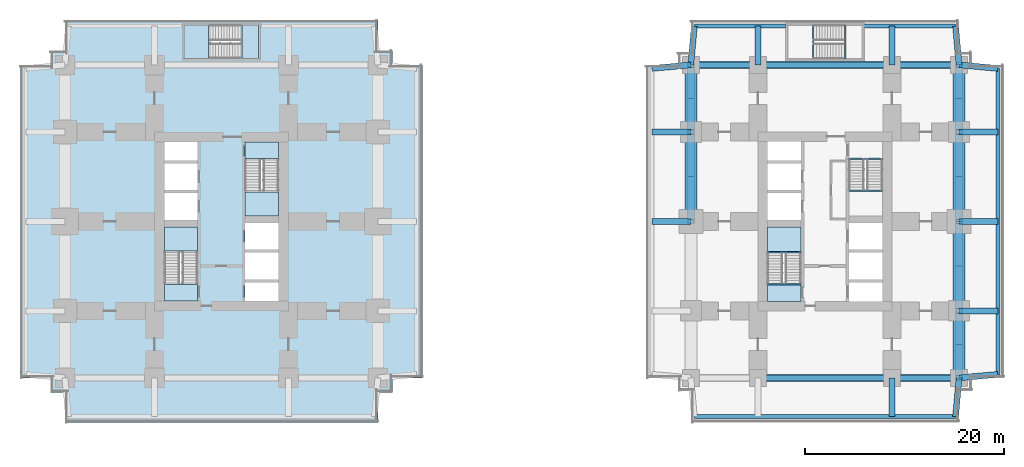
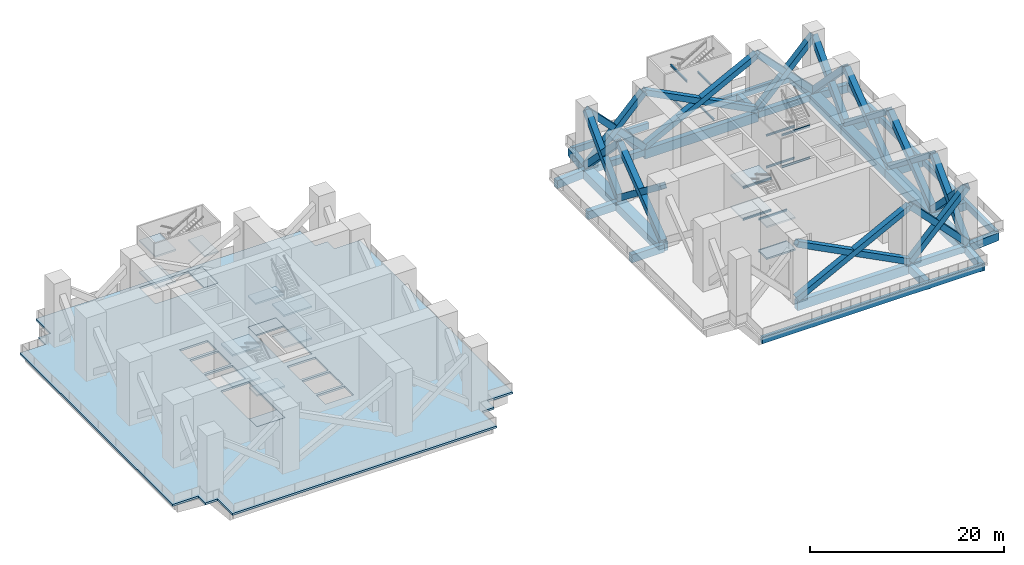
# One storey, part 2 of 12: 41 beams, 22 members, 17 slabs, 4 elements without a shape of their own.
"""IFC4 building model written with IfcOpenShell, lengths in metres."""

from ifc_helpers import new_model, si_unit, direction, frame, origin, origin_2d, place, context, subcontext, project, spatial, polyline, rectangle, hollow_rectangle, i_section, outline, extrude, material, layer, layer_set, material_profile, profile_set, type_object, element, aggregate, save


model = new_model("IFC4")

# Units and contexts
model_context = context("Model", 3, precision=1e-05, world=origin(), true_north=direction((0.0, 1.0)))
body_context = subcontext(model_context, "Body", "Model", "MODEL_VIEW")
ifc_project = project(units=[si_unit("LENGTHUNIT", "METRE"), si_unit("AREAUNIT", "SQUARE_METRE"), si_unit("VOLUMEUNIT", "CUBIC_METRE"), si_unit("PLANEANGLEUNIT", "RADIAN"), si_unit("MASSUNIT", "GRAM", prefix="KILO")], contexts=[model_context])

# Site, building, storey
site_placement = place(None, origin())
site = spatial("IfcSite", under=ifc_project, at=site_placement, CompositionType="ELEMENT")
building_placement = place(site_placement, origin())
building = spatial("IfcBuilding", under=site, at=building_placement, Name="Namib Vertical Campus", CompositionType="ELEMENT")
storey_placement = place(building_placement, frame((0.0, 0.0, 77.0)))
storey = spatial("IfcBuildingStorey", under=building, at=storey_placement, Name="L18", CompositionType="ELEMENT", Elevation=77.0)

# Members
ifc_material_1 = material(Name="Steel S355JR", Category="steel")
ifc_material_profile_1 = material_profile(ifc_material_1, hollow_rectangle(XDim=0.699951171875, YDim=0.699951171875, WallThickness=0.0400390625, at=origin_2d()))
ifc_profile_set_1 = profile_set([ifc_material_profile_1], Name="Steel S355JR")
member_type = type_object("IfcMemberType", Name="Belt truss diagonal WB 700x700x40", PredefinedType="BRACE", material=ifc_profile_set_1)
for number, where, z_axis, x_axis, name in (
    (1, (74.25, 4.5, 0.0), (0.889097706218, 0.0, 0.457717455203), (0.0, 1.0, 0.0), "Belt truss diagonal B L18 S3"),
    (2, (87.75, 4.5, 0.0), (-0.889097706218, 0.0, 0.457717455203), (0.0, -1.0, 0.0), "Belt truss diagonal B L18 S4"),
):
    element("IfcMember", number, at=place(storey_placement, frame(where, z_axis=z_axis, x_axis=x_axis)), inside=storey, type_object=member_type, Name=name, PredefinedType="BRACE", context=body_context, shape_type="SweptSolid", body=[
        extrude(hollow_rectangle(XDim=0.699951171875, YDim=0.699951171875, WallThickness=0.0400390625, at=origin_2d()), origin(), (0.0, 0.0, 1.0), 15.183837890625),
    ])
for number, where, z_axis, x_axis, name in (
    (3, (87.75, 4.5, 0.0), (0.696712336785, 0.0, 0.717350625407), (0.0, 1.0, 0.0), "Belt truss diagonal B L18 S5"),
    (4, (94.5, 4.5, 0.0), (-0.696712336785, 0.0, 0.717350625407), (0.0, -1.0, 0.0), "Belt truss diagonal B L18 S6"),
    (5, (67.5, 36.0, 0.0), (0.696712336785, 0.0, 0.717350625407), (0.0, 1.0, 0.0), "Belt truss diagonal B L18 N7"),
    (6, (74.25, 36.0, 0.0), (-0.696712336785, 0.0, 0.717350625407), (0.0, -1.0, 0.0), "Belt truss diagonal B L18 N8"),
):
    element("IfcMember", number, at=place(storey_placement, frame(where, z_axis=z_axis, x_axis=x_axis)), inside=storey, type_object=member_type, Name=name, PredefinedType="BRACE", context=body_context, shape_type="SweptSolid", body=[
        extrude(hollow_rectangle(XDim=0.699951171875, YDim=0.699951171875, WallThickness=0.0400390625, at=origin_2d()), origin(), (0.0, 0.0, 1.0), 9.6884765625),
    ])
for number, where, z_axis, x_axis, name in (
    (7, (74.25, 36.0, 0.0), (0.889097706218, 0.0, 0.457717455203), (0.0, 1.0, 0.0), "Belt truss diagonal B L18 N9"),
    (8, (87.75, 36.0, 0.0), (-0.889097706218, 0.0, 0.457717455203), (0.0, -1.0, 0.0), "Belt truss diagonal B L18 N10"),
):
    element("IfcMember", number, at=place(storey_placement, frame(where, z_axis=z_axis, x_axis=x_axis)), inside=storey, type_object=member_type, Name=name, PredefinedType="BRACE", context=body_context, shape_type="SweptSolid", body=[
        extrude(hollow_rectangle(XDim=0.699951171875, YDim=0.699951171875, WallThickness=0.0400390625, at=origin_2d()), origin(), (0.0, 0.0, 1.0), 15.183837890625),
    ])
for number, where, z_axis, x_axis, name in (
    (9, (87.75, 36.0, 0.0), (0.696712336785, 0.0, 0.717350625407), (0.0, 1.0, 0.0), "Belt truss diagonal B L18 N11"),
    (10, (94.5, 36.0, 0.0), (-0.696712336785, 0.0, 0.717350625407), (0.0, -1.0, 0.0), "Belt truss diagonal B L18 N12"),
):
    element("IfcMember", number, at=place(storey_placement, frame(where, z_axis=z_axis, x_axis=x_axis)), inside=storey, type_object=member_type, Name=name, PredefinedType="BRACE", context=body_context, shape_type="SweptSolid", body=[
        extrude(hollow_rectangle(XDim=0.699951171875, YDim=0.699951171875, WallThickness=0.0400390625, at=origin_2d()), origin(), (0.0, 0.0, 1.0), 9.6884765625),
    ])
for number, where, z_axis, x_axis, name in (
    (11, (67.5, 20.25, 0.0), (0.0, 0.79148044328, 0.611194492699), (-1.0, 0.0, 0.0), "Belt truss diagonal B L18 W17"),
    (12, (67.5, 29.25, 0.0), (0.0, -0.79148044328, 0.611194492699), (1.0, 0.0, 0.0), "Belt truss diagonal B L18 W18"),
):
    element("IfcMember", number, at=place(storey_placement, frame(where, z_axis=z_axis, x_axis=x_axis)), inside=storey, type_object=member_type, Name=name, PredefinedType="BRACE", context=body_context, shape_type="SweptSolid", body=[
        extrude(hollow_rectangle(XDim=0.699951171875, YDim=0.699951171875, WallThickness=0.0400390625, at=origin_2d()), origin(), (0.0, 0.0, 1.0), 11.37109375),
    ])
for number, where, z_axis, x_axis, name in (
    (13, (67.5, 29.25, 0.0), (0.0, 0.696712336785, 0.717350625407), (-1.0, 0.0, 0.0), "Belt truss diagonal B L18 W19"),
    (14, (67.5, 36.0, 0.0), (0.0, -0.696712336785, 0.717350625407), (1.0, 0.0, 0.0), "Belt truss diagonal B L18 W20"),
    (15, (94.5, 4.5, 0.0), (0.0, 0.696712336785, 0.717350625407), (-1.0, 0.0, 0.0), "Belt truss diagonal B L18 E21"),
    (16, (94.5, 11.25, 0.0), (0.0, -0.696712336785, 0.717350625407), (1.0, 0.0, 0.0), "Belt truss diagonal B L18 E22"),
):
    element("IfcMember", number, at=place(storey_placement, frame(where, z_axis=z_axis, x_axis=x_axis)), inside=storey, type_object=member_type, Name=name, PredefinedType="BRACE", context=body_context, shape_type="SweptSolid", body=[
        extrude(hollow_rectangle(XDim=0.699951171875, YDim=0.699951171875, WallThickness=0.0400390625, at=origin_2d()), origin(), (0.0, 0.0, 1.0), 9.6884765625),
    ])
for number, where, z_axis, x_axis, name in (
    (17, (94.5, 11.25, 0.0), (0.0, 0.79148044328, 0.611194492699), (-1.0, 0.0, 0.0), "Belt truss diagonal B L18 E23"),
    (18, (94.5, 20.25, 0.0), (0.0, -0.79148044328, 0.611194492699), (1.0, 0.0, 0.0), "Belt truss diagonal B L18 E24"),
    (19, (94.5, 20.25, 0.0), (0.0, 0.79148044328, 0.611194492699), (-1.0, 0.0, 0.0), "Belt truss diagonal B L18 E25"),
    (20, (94.5, 29.25, 0.0), (0.0, -0.79148044328, 0.611194492699), (1.0, 0.0, 0.0), "Belt truss diagonal B L18 E26"),
):
    element("IfcMember", number, at=place(storey_placement, frame(where, z_axis=z_axis, x_axis=x_axis)), inside=storey, type_object=member_type, Name=name, PredefinedType="BRACE", context=body_context, shape_type="SweptSolid", body=[
        extrude(hollow_rectangle(XDim=0.699951171875, YDim=0.699951171875, WallThickness=0.0400390625, at=origin_2d()), origin(), (0.0, 0.0, 1.0), 11.37109375),
    ])
for number, where, z_axis, x_axis, name in (
    (21, (94.5, 29.25, 0.0), (0.0, 0.696712336785, 0.717350625407), (-1.0, 0.0, 0.0), "Belt truss diagonal B L18 E27"),
    (22, (94.5, 36.0, 0.0), (0.0, -0.696712336785, 0.717350625407), (1.0, 0.0, 0.0), "Belt truss diagonal B L18 E28"),
):
    element("IfcMember", number, at=place(storey_placement, frame(where, z_axis=z_axis, x_axis=x_axis)), inside=storey, type_object=member_type, Name=name, PredefinedType="BRACE", context=body_context, shape_type="SweptSolid", body=[
        extrude(hollow_rectangle(XDim=0.699951171875, YDim=0.699951171875, WallThickness=0.0400390625, at=origin_2d()), origin(), (0.0, 0.0, 1.0), 9.6884765625),
    ])

# Beams
ifc_material_2 = material(Name="Concrete C40/50", Category="concrete")
ifc_material_profile_2 = material_profile(ifc_material_2, rectangle(XDim=1.199951171875, YDim=1.10009765625, at=origin_2d()))
ifc_profile_set_2 = profile_set([ifc_material_profile_2], Name="Concrete C40/50")
beam_type_1 = type_object("IfcBeamType", Name="Face ring beam RC 1200x1100", PredefinedType="BEAM", material=ifc_profile_set_2)
beam_1_placement = place(storey_placement, frame((67.5, 20.25, -0.800048828125), z_axis=(0.0, 1.0, 0.0), x_axis=(-1.0, 0.0, 0.0)))
element("IfcBeam", 23, at=beam_1_placement, inside=storey, type_object=beam_type_1, Name="Beam B11 L18", PredefinedType="BEAM", context=body_context, shape_type="SweptSolid", body=[
    extrude(rectangle(XDim=1.199951171875, YDim=1.10009765625, at=origin_2d()), origin(), (0.0, 0.0, 1.0), 9.0),
])
for number, where, z_axis, x_axis, name in (
    (24, (67.5, 29.25, -0.800048828125), (0.0, 1.0, 0.0), (-1.0, 0.0, 0.0), "Beam B11 L18"),
    (25, (94.5, 4.5, -0.800048828125), (0.0, 1.0, 0.0), (-1.0, 0.0, 0.0), "Beam B11 L18"),
):
    element("IfcBeam", number, at=place(storey_placement, frame(where, z_axis=z_axis, x_axis=x_axis)), inside=storey, type_object=beam_type_1, Name=name, PredefinedType="BEAM", context=body_context, shape_type="SweptSolid", body=[
        extrude(rectangle(XDim=1.199951171875, YDim=1.10009765625, at=origin_2d()), origin(), (0.0, 0.0, 1.0), 6.75),
    ])
for number, where, z_axis, x_axis, name in (
    (26, (94.5, 11.25, -0.800048828125), (0.0, 1.0, 0.0), (-1.0, 0.0, 0.0), "Beam B11 L18"),
    (27, (94.5, 20.25, -0.800048828125), (0.0, 1.0, 0.0), (-1.0, 0.0, 0.0), "Beam B11 L18"),
):
    element("IfcBeam", number, at=place(storey_placement, frame(where, z_axis=z_axis, x_axis=x_axis)), inside=storey, type_object=beam_type_1, Name=name, PredefinedType="BEAM", context=body_context, shape_type="SweptSolid", body=[
        extrude(rectangle(XDim=1.199951171875, YDim=1.10009765625, at=origin_2d()), origin(), (0.0, 0.0, 1.0), 9.0),
    ])
beam_2_placement = place(storey_placement, frame((94.5, 29.25, -0.800048828125), z_axis=(0.0, 1.0, 0.0), x_axis=(-1.0, 0.0, 0.0)))
element("IfcBeam", 28, at=beam_2_placement, inside=storey, type_object=beam_type_1, Name="Beam B11 L18", PredefinedType="BEAM", context=body_context, shape_type="SweptSolid", body=[
    extrude(rectangle(XDim=1.199951171875, YDim=1.10009765625, at=origin_2d()), origin(), (0.0, 0.0, 1.0), 6.75),
])
ifc_material_3 = material(Name="Steel S355JR", Category="steel")
ifc_material_profile_3 = material_profile(ifc_material_3, i_section(OverallWidth=0.14599609375, OverallDepth=0.25146484375, WebThickness=0.006103515625, FlangeThickness=0.008544921875, FilletRadius=0.007568359375, at=origin_2d()))
ifc_profile_set_3 = profile_set([ifc_material_profile_3], Name="Steel S355JR")
beam_type_2 = type_object("IfcBeamType", Name="Landing trimmer UB 254x146x31", PredefinedType="BEAM", material=ifc_profile_set_3)
for number, where, z_axis, x_axis, name in (
    (29, (75.199951171875, 13.927001953125, -0.125732421875), (1.0, 0.0, 0.0), (0.0, 1.0, 0.0), "Landing trimmer LT1 B-S1 L18 1"),
    (30, (75.199951171875, 17.153076171875, 1.874267578125), (1.0, 0.0, 0.0), (0.0, 1.0, 0.0), "Landing trimmer LT1 B-S1 L18 2"),
    (31, (75.199951171875, 13.927001953125, 3.874267578125), (1.0, 0.0, 0.0), (0.0, 1.0, 0.0), "Landing trimmer LT1 B-S1 L18 3"),
    (32, (75.199951171875, 17.153076171875, 5.874267578125), (1.0, 0.0, 0.0), (0.0, 1.0, 0.0), "Landing trimmer LT1 B-S1 L18 4"),
    (33, (83.39990234375, 26.572998046875, -0.125732421875), (1.0, 0.0, 0.0), (0.0, 1.0, 0.0), "Landing trimmer LT1 B-S2 L18 1"),
    (34, (83.39990234375, 23.346923828125, 1.874267578125), (1.0, 0.0, 0.0), (0.0, 1.0, 0.0), "Landing trimmer LT1 B-S2 L18 2"),
    (35, (83.39990234375, 26.572998046875, 3.874267578125), (1.0, 0.0, 0.0), (0.0, 1.0, 0.0), "Landing trimmer LT1 B-S2 L18 3"),
    (36, (83.39990234375, 23.346923828125, 5.874267578125), (1.0, 0.0, 0.0), (0.0, 1.0, 0.0), "Landing trimmer LT1 B-S2 L18 4"),
):
    element("IfcBeam", number, at=place(storey_placement, frame(where, z_axis=z_axis, x_axis=x_axis)), inside=storey, type_object=beam_type_2, Name=name, PredefinedType="BEAM", context=body_context, shape_type="SweptSolid", body=[
        extrude(i_section(OverallWidth=0.14599609375, OverallDepth=0.25146484375, WebThickness=0.006103515625, FlangeThickness=0.008544921875, FilletRadius=0.007568359375, at=origin_2d()), origin(), (0.0, 0.0, 1.0), 3.400146484375),
    ])
for number, where, z_axis, x_axis, name in (
    (37, (83.02294921875, 36.60009765625, -0.125732421875), (0.0, 1.0, 0.0), (-1.0, 0.0, 0.0), "Landing trimmer LT1 B-S3 L18 1"),
    (38, (79.796875, 36.60009765625, 1.874267578125), (0.0, 1.0, 0.0), (-1.0, 0.0, 0.0), "Landing trimmer LT1 B-S3 L18 2"),
    (39, (83.02294921875, 36.60009765625, 3.874267578125), (0.0, 1.0, 0.0), (-1.0, 0.0, 0.0), "Landing trimmer LT1 B-S3 L18 3"),
    (40, (79.796875, 36.60009765625, 5.874267578125), (0.0, 1.0, 0.0), (-1.0, 0.0, 0.0), "Landing trimmer LT1 B-S3 L18 4"),
):
    element("IfcBeam", number, at=place(storey_placement, frame(where, z_axis=z_axis, x_axis=x_axis)), inside=storey, type_object=beam_type_2, Name=name, PredefinedType="BEAM", context=body_context, shape_type="SweptSolid", body=[
        extrude(i_section(OverallWidth=0.14599609375, OverallDepth=0.25146484375, WebThickness=0.006103515625, FlangeThickness=0.008544921875, FilletRadius=0.007568359375, at=origin_2d()), origin(), (0.0, 0.0, 1.0), 3.39990234375),
    ])
ifc_material_4 = material(Name="Concrete C40/50", Category="concrete")
ifc_material_profile_4 = material_profile(ifc_material_4, rectangle(XDim=0.60009765625, YDim=1.199951171875, at=origin_2d()))
ifc_profile_set_4 = profile_set([ifc_material_profile_4], Name="Concrete C40/50")
beam_type_3 = type_object("IfcBeamType", Name="Long-span ring beam RC 600x1200", PredefinedType="BEAM", material=ifc_profile_set_4)
for number, where, z_axis, x_axis, name in (
    (41, (74.25, 4.5, -0.85009765625), (1.0, 0.0, 0.0), (0.0, 1.0, 0.0), "Beam B9 L18"),
    (42, (74.25, 36.0, -0.85009765625), (1.0, 0.0, 0.0), (0.0, 1.0, 0.0), "Beam B9 L18"),
):
    element("IfcBeam", number, at=place(storey_placement, frame(where, z_axis=z_axis, x_axis=x_axis)), inside=storey, type_object=beam_type_3, Name=name, PredefinedType="BEAM", context=body_context, shape_type="SweptSolid", body=[
        extrude(rectangle(XDim=0.60009765625, YDim=1.199951171875, at=origin_2d()), origin(), (0.0, 0.0, 1.0), 13.5),
    ])
ifc_material_5 = material(Name="Concrete C40/50", Category="concrete")
ifc_material_profile_5 = material_profile(ifc_material_5, rectangle(XDim=0.60009765625, YDim=1.0, at=origin_2d()))
ifc_profile_set_5 = profile_set([ifc_material_profile_5], Name="Concrete C40/50")
beam_type_4 = type_object("IfcBeamType", Name="Portal cantilever girder RC 600x1000", PredefinedType="BEAM", material=ifc_profile_set_5)
beam_3_placement = place(storey_placement, frame((87.75, 4.5, -0.75), z_axis=(0.0, -1.0, 0.0), x_axis=(1.0, 0.0, 0.0)))
element("IfcBeam", 43, at=beam_3_placement, inside=storey, type_object=beam_type_4, Name="Beam B14 L18", PredefinedType="BEAM", context=body_context, shape_type="SweptSolid", body=[
    extrude(rectangle(XDim=0.60009765625, YDim=1.0, at=origin_2d()), origin(), (0.0, 0.0, 1.0), 3.89990234375),
])
for number, where, z_axis, x_axis, name in (
    (44, (94.5, 4.5, -0.75), (-0.089411326146, -0.995994786511, 0.0), (0.995994786511, -0.089411326146, 0.0), "Beam B14 L18"),
    (45, (67.5, 36.0, -0.75), (0.089411326146, 0.995994786511, 0.0), (-0.995994786511, 0.089411326146, 0.0), "Beam B14 L18"),
):
    element("IfcBeam", number, at=place(storey_placement, frame(where, z_axis=z_axis, x_axis=x_axis)), inside=storey, type_object=beam_type_4, Name=name, PredefinedType="BEAM", context=body_context, shape_type="SweptSolid", body=[
        extrude(rectangle(XDim=0.60009765625, YDim=1.0, at=origin_2d()), origin(), (0.0, 0.0, 1.0), 3.91552734375),
    ])
for number, where, z_axis, x_axis, name in (
    (46, (74.25, 36.0, -0.75), (0.0, 1.0, 0.0), (-1.0, 0.0, 0.0), "Beam B14 L18"),
    (47, (87.75, 36.0, -0.75), (0.0, 1.0, 0.0), (-1.0, 0.0, 0.0), "Beam B14 L18"),
):
    element("IfcBeam", number, at=place(storey_placement, frame(where, z_axis=z_axis, x_axis=x_axis)), inside=storey, type_object=beam_type_4, Name=name, PredefinedType="BEAM", context=body_context, shape_type="SweptSolid", body=[
        extrude(rectangle(XDim=0.60009765625, YDim=1.0, at=origin_2d()), origin(), (0.0, 0.0, 1.0), 3.89990234375),
    ])
beam_4_placement = place(storey_placement, frame((94.5, 36.0, -0.75), z_axis=(-0.089411326146, 0.995994786511, 0.0), x_axis=(-0.995994786511, -0.089411326146, 0.0)))
element("IfcBeam", 48, at=beam_4_placement, inside=storey, type_object=beam_type_4, Name="Beam B14 L18", PredefinedType="BEAM", context=body_context, shape_type="SweptSolid", body=[
    extrude(rectangle(XDim=0.60009765625, YDim=1.0, at=origin_2d()), origin(), (0.0, 0.0, 1.0), 3.91552734375),
])
for number, where, z_axis, x_axis, name in (
    (49, (67.5, 20.25, -0.75), (-1.0, 0.0, 0.0), (0.0, -1.0, 0.0), "Beam B14 L18"),
    (50, (67.5, 29.25, -0.75), (-1.0, 0.0, 0.0), (0.0, -1.0, 0.0), "Beam B14 L18"),
):
    element("IfcBeam", number, at=place(storey_placement, frame(where, z_axis=z_axis, x_axis=x_axis)), inside=storey, type_object=beam_type_4, Name=name, PredefinedType="BEAM", context=body_context, shape_type="SweptSolid", body=[
        extrude(rectangle(XDim=0.60009765625, YDim=1.0, at=origin_2d()), origin(), (0.0, 0.0, 1.0), 3.89990234375),
    ])
for number, where, z_axis, x_axis, name in (
    (51, (67.5, 36.0, -0.75), (-0.995994786511, -0.089411326146, 0.0), (0.089411326146, -0.995994786511, 0.0), "Beam B14 L18"),
    (52, (94.5, 4.5, -0.75), (0.995994786511, 0.089411326146, 0.0), (-0.089411326146, 0.995994786511, 0.0), "Beam B14 L18"),
):
    element("IfcBeam", number, at=place(storey_placement, frame(where, z_axis=z_axis, x_axis=x_axis)), inside=storey, type_object=beam_type_4, Name=name, PredefinedType="BEAM", context=body_context, shape_type="SweptSolid", body=[
        extrude(rectangle(XDim=0.60009765625, YDim=1.0, at=origin_2d()), origin(), (0.0, 0.0, 1.0), 3.91552734375),
    ])
for number, where, z_axis, x_axis, name in (
    (53, (94.5, 11.25, -0.75), (1.0, 0.0, 0.0), (0.0, 1.0, 0.0), "Beam B14 L18"),
    (54, (94.5, 20.25, -0.75), (1.0, 0.0, 0.0), (0.0, 1.0, 0.0), "Beam B14 L18"),
    (55, (94.5, 29.25, -0.75), (1.0, 0.0, 0.0), (0.0, 1.0, 0.0), "Beam B14 L18"),
):
    element("IfcBeam", number, at=place(storey_placement, frame(where, z_axis=z_axis, x_axis=x_axis)), inside=storey, type_object=beam_type_4, Name=name, PredefinedType="BEAM", context=body_context, shape_type="SweptSolid", body=[
        extrude(rectangle(XDim=0.60009765625, YDim=1.0, at=origin_2d()), origin(), (0.0, 0.0, 1.0), 3.89990234375),
    ])
beam_5_placement = place(storey_placement, frame((94.5, 36.0, -0.75), z_axis=(0.995994786511, -0.089411326146, 0.0), x_axis=(0.089411326146, 0.995994786511, 0.0)))
element("IfcBeam", 56, at=beam_5_placement, inside=storey, type_object=beam_type_4, Name="Beam B14 L18", PredefinedType="BEAM", context=body_context, shape_type="SweptSolid", body=[
    extrude(rectangle(XDim=0.60009765625, YDim=1.0, at=origin_2d()), origin(), (0.0, 0.0, 1.0), 3.91552734375),
])
ifc_material_6 = material(Name="Concrete C40/50", Category="concrete")
ifc_material_profile_6 = material_profile(ifc_material_6, rectangle(XDim=0.39990234375, YDim=0.800048828125, at=origin_2d()))
ifc_profile_set_6 = profile_set([ifc_material_profile_6], Name="Concrete C40/50")
beam_type_5 = type_object("IfcBeamType", Name="Portal floor edge beam RC 400x800", PredefinedType="SPANDREL", material=ifc_profile_set_6)
beam_6_placement = place(storey_placement, frame((67.85009765625, 0.60009765625, -0.64990234375), z_axis=(1.0, 0.0, 0.0), x_axis=(0.0, 1.0, 0.0)))
element("IfcBeam", 57, at=beam_6_placement, inside=storey, type_object=beam_type_5, Name="Beam B15 L18", PredefinedType="SPANDREL", context=body_context, shape_type="SweptSolid", body=[
    extrude(rectangle(XDim=0.39990234375, YDim=0.800048828125, at=origin_2d()), origin(), (0.0, 0.0, 1.0), 26.2998046875),
])
for number, where, z_axis, x_axis, name in (
    (58, (67.85009765625, 39.89990234375, -0.64990234375), (1.0, 0.0, 0.0), (0.0, 1.0, 0.0), "Beam B15 L18"),
    (59, (84.949951171875, 39.89990234375, -0.64990234375), (1.0, 0.0, 0.0), (0.0, 1.0, 0.0), "Beam B15 L18"),
):
    element("IfcBeam", number, at=place(storey_placement, frame(where, z_axis=z_axis, x_axis=x_axis)), inside=storey, type_object=beam_type_5, Name=name, PredefinedType="SPANDREL", context=body_context, shape_type="SweptSolid", body=[
        extrude(rectangle(XDim=0.39990234375, YDim=0.800048828125, at=origin_2d()), origin(), (0.0, 0.0, 1.0), 9.199951171875),
    ])
beam_7_placement = place(storey_placement, frame((98.39990234375, 4.85009765625, -0.64990234375), z_axis=(0.0, 1.0, 0.0), x_axis=(-1.0, 0.0, 0.0)))
element("IfcBeam", 60, at=beam_7_placement, inside=storey, type_object=beam_type_5, Name="Beam B15 L18", PredefinedType="SPANDREL", context=body_context, shape_type="SweptSolid", body=[
    extrude(rectangle(XDim=0.39990234375, YDim=0.800048828125, at=origin_2d()), origin(), (0.0, 0.0, 1.0), 30.7998046875),
])
ifc_material_7 = material(Name="Concrete C40/50", Category="concrete")
ifc_material_profile_7 = material_profile(ifc_material_7, rectangle(XDim=0.60009765625, YDim=0.800048828125, at=origin_2d()))
ifc_profile_set_7 = profile_set([ifc_material_profile_7], Name="Concrete C40/50")
beam_type_6 = type_object("IfcBeamType", Name="Ring beam RC 600x800", PredefinedType="BEAM", material=ifc_profile_set_7)
for number, where, z_axis, x_axis, name in (
    (61, (87.75, 4.5, -0.64990234375), (1.0, 0.0, 0.0), (0.0, 1.0, 0.0), "Beam B1 L18"),
    (62, (67.5, 36.0, -0.64990234375), (1.0, 0.0, 0.0), (0.0, 1.0, 0.0), "Beam B1 L18"),
    (63, (87.75, 36.0, -0.64990234375), (1.0, 0.0, 0.0), (0.0, 1.0, 0.0), "Beam B1 L18"),
):
    element("IfcBeam", number, at=place(storey_placement, frame(where, z_axis=z_axis, x_axis=x_axis)), inside=storey, type_object=beam_type_6, Name=name, PredefinedType="BEAM", context=body_context, shape_type="SweptSolid", body=[
        extrude(rectangle(XDim=0.60009765625, YDim=0.800048828125, at=origin_2d()), origin(), (0.0, 0.0, 1.0), 6.75),
    ])

# Slab
ifc_material_8 = material(Name="Concrete C40/50", Category="concrete")
ifc_layer_1 = layer(ifc_material_8, 0.25)
ifc_layer_set_1 = layer_set([ifc_layer_1], Name="Concrete C40/50")
slab_type_1 = type_object("IfcSlabType", Name="Floor slab 250", PredefinedType="FLOOR", material=ifc_layer_set_1)
slab_1_placement = place(storey_placement, frame((0.0, 0.0, -0.25)))
element("IfcSlab", 64, at=slab_1_placement, inside=storey, type_object=slab_type_1, Name="Floor slab A L18", PredefinedType="FLOOR", context=body_context, shape_type="SweptSolid", body=[
    extrude(outline(polyline([(4.5, 0.0), (36.0, 0.0), (36.0, 3.050048828125), (37.449951171875, 3.050048828125), (37.449951171875, 4.5), (40.5, 4.5), (40.5, 36.0), (37.449951171875, 36.0), (37.449951171875, 37.449951171875), (36.0, 37.449951171875), (36.0, 40.5), (4.5, 40.5), (4.5, 37.449951171875), (3.050048828125, 37.449951171875), (3.050048828125, 36.0), (0.0, 36.0), (0.0, 4.5), (3.050048828125, 4.5), (3.050048828125, 3.050048828125), (4.5, 3.050048828125), (4.5, 0.0)]), holes=[polyline([(14.5, 12.25), (17.85009765625, 12.25), (17.85009765625, 19.699951171875), (14.5, 19.699951171875), (14.5, 12.25)]), polyline([(22.64990234375, 20.800048828125), (26.0, 20.800048828125), (26.0, 28.25), (22.64990234375, 28.25), (22.64990234375, 20.800048828125)]), polyline([(22.64990234375, 12.25), (26.0, 12.25), (26.0, 14.10009765625), (22.64990234375, 14.10009765625), (22.64990234375, 12.25)]), polyline([(14.5, 20.39990234375), (17.85009765625, 20.39990234375), (17.85009765625, 23.10009765625), (14.5, 23.10009765625), (14.5, 20.39990234375)]), polyline([(14.5, 23.39990234375), (17.85009765625, 23.39990234375), (17.85009765625, 26.10009765625), (14.5, 26.10009765625), (14.5, 23.39990234375)]), polyline([(14.5, 26.39990234375), (17.85009765625, 26.39990234375), (17.85009765625, 28.25), (14.5, 28.25), (14.5, 26.39990234375)]), polyline([(22.64990234375, 14.39990234375), (26.0, 14.39990234375), (26.0, 17.10009765625), (22.64990234375, 17.10009765625), (22.64990234375, 14.39990234375)]), polyline([(22.64990234375, 17.39990234375), (26.0, 17.39990234375), (26.0, 20.10009765625), (22.64990234375, 20.10009765625), (22.64990234375, 17.39990234375)]), polyline([(16.5, 36.64990234375), (24.0, 36.64990234375), (24.0, 40.0), (16.5, 40.0), (16.5, 36.64990234375)])]), origin(), (0.0, 0.0, 1.0), 0.25),
])

# Stair, slabs
ifc_material_9 = material(Name="Concrete C40/50 precast", Category="concrete")
stair_type_1 = type_object("IfcStairType", Name="Exit stair 8000 rise 48 risers 3350 wide", PredefinedType="HALF_TURN_STAIR", material=ifc_material_9)
stair_1_placement = place(storey_placement, origin())
stair_1 = element("IfcStair", 65, at=stair_1_placement, inside=storey, type_object=stair_type_1, Name="Exit stair A-S1 L18", PredefinedType="HALF_TURN_STAIR")
ifc_material_10 = material(Name="Concrete C40/50", Category="concrete")
ifc_layer_2 = layer(ifc_material_10, 0.199951171875)
ifc_layer_set_2 = layer_set([ifc_layer_2], Name="Concrete C40/50")
slab_type_2 = type_object("IfcSlabType", Name="Stair landing 200", PredefinedType="LANDING", material=ifc_layer_set_2)
slab_2_placement = place(storey_placement, frame((0.0, 0.0, -0.199951171875)))
slab_2 = element("IfcSlab", 66, at=slab_2_placement, type_object=slab_type_2, Name="A-S1 landing 1", PredefinedType="LANDING", context=body_context, shape_type="SweptSolid", body=[
    extrude(outline(polyline([(14.5, 12.25), (17.85009765625, 12.25), (17.85009765625, 13.90380859375), (14.5, 13.90380859375), (14.5, 12.25)])), origin(), (0.0, 0.0, 1.0), 0.199951171875),
])
slab_3_placement = place(storey_placement, frame((0.0, 0.0, 1.800048828125)))
slab_3 = element("IfcSlab", 67, at=slab_3_placement, type_object=slab_type_2, Name="A-S1 landing 2", PredefinedType="LANDING", context=body_context, shape_type="SweptSolid", body=[
    extrude(outline(polyline([(14.5, 17.276123046875), (17.85009765625, 17.276123046875), (17.85009765625, 19.699951171875), (14.5, 19.699951171875), (14.5, 17.276123046875)])), origin(), (0.0, 0.0, 1.0), 0.199951171875),
])
slab_4_placement = place(storey_placement, frame((0.0, 0.0, 3.800048828125)))
slab_4 = element("IfcSlab", 68, at=slab_4_placement, type_object=slab_type_2, Name="A-S1 landing 3", PredefinedType="LANDING", context=body_context, shape_type="SweptSolid", body=[
    extrude(outline(polyline([(14.5, 12.25), (17.85009765625, 12.25), (17.85009765625, 13.90380859375), (14.5, 13.90380859375), (14.5, 12.25)])), origin(), (0.0, 0.0, 1.0), 0.199951171875),
])
slab_5_placement = place(storey_placement, frame((0.0, 0.0, 5.800048828125)))
slab_5 = element("IfcSlab", 69, at=slab_5_placement, type_object=slab_type_2, Name="A-S1 landing 4", PredefinedType="LANDING", context=body_context, shape_type="SweptSolid", body=[
    extrude(outline(polyline([(14.5, 17.276123046875), (17.85009765625, 17.276123046875), (17.85009765625, 19.699951171875), (14.5, 19.699951171875), (14.5, 17.276123046875)])), origin(), (0.0, 0.0, 1.0), 0.199951171875),
])
aggregate(stair_1, [slab_2, slab_3, slab_4, slab_5])

stair_2_placement = place(storey_placement, origin())
stair_2 = element("IfcStair", 70, at=stair_2_placement, inside=storey, type_object=stair_type_1, Name="Exit stair A-S2 L18", PredefinedType="HALF_TURN_STAIR")
slab_6_placement = place(storey_placement, frame((0.0, 0.0, -0.199951171875)))
slab_6 = element("IfcSlab", 71, at=slab_6_placement, type_object=slab_type_2, Name="A-S2 landing 1", PredefinedType="LANDING", context=body_context, shape_type="SweptSolid", body=[
    extrude(outline(polyline([(22.64990234375, 26.59619140625), (26.0, 26.59619140625), (26.0, 28.25), (22.64990234375, 28.25), (22.64990234375, 26.59619140625)])), origin(), (0.0, 0.0, 1.0), 0.199951171875),
])
slab_7_placement = place(storey_placement, frame((0.0, 0.0, 1.800048828125)))
slab_7 = element("IfcSlab", 72, at=slab_7_placement, type_object=slab_type_2, Name="A-S2 landing 2", PredefinedType="LANDING", context=body_context, shape_type="SweptSolid", body=[
    extrude(outline(polyline([(22.64990234375, 20.800048828125), (26.0, 20.800048828125), (26.0, 23.223876953125), (22.64990234375, 23.223876953125), (22.64990234375, 20.800048828125)])), origin(), (0.0, 0.0, 1.0), 0.199951171875),
])
slab_8_placement = place(storey_placement, frame((0.0, 0.0, 3.800048828125)))
slab_8 = element("IfcSlab", 73, at=slab_8_placement, type_object=slab_type_2, Name="A-S2 landing 3", PredefinedType="LANDING", context=body_context, shape_type="SweptSolid", body=[
    extrude(outline(polyline([(22.64990234375, 26.59619140625), (26.0, 26.59619140625), (26.0, 28.25), (22.64990234375, 28.25), (22.64990234375, 26.59619140625)])), origin(), (0.0, 0.0, 1.0), 0.199951171875),
])
slab_9_placement = place(storey_placement, frame((0.0, 0.0, 5.800048828125)))
slab_9 = element("IfcSlab", 74, at=slab_9_placement, type_object=slab_type_2, Name="A-S2 landing 4", PredefinedType="LANDING", context=body_context, shape_type="SweptSolid", body=[
    extrude(outline(polyline([(22.64990234375, 20.800048828125), (26.0, 20.800048828125), (26.0, 23.223876953125), (22.64990234375, 23.223876953125), (22.64990234375, 20.800048828125)])), origin(), (0.0, 0.0, 1.0), 0.199951171875),
])
aggregate(stair_2, [slab_6, slab_7, slab_8, slab_9])

ifc_material_11 = material(Name="Concrete C40/50 precast", Category="concrete")
stair_type_2 = type_object("IfcStairType", Name="Exit stair 8000 rise 48 risers 3400 wide", PredefinedType="HALF_TURN_STAIR", material=ifc_material_11)
stair_3_placement = place(storey_placement, origin())
stair_3 = element("IfcStair", 75, at=stair_3_placement, inside=storey, type_object=stair_type_2, Name="Exit stair B-S1 L18", PredefinedType="HALF_TURN_STAIR")
slab_10_placement = place(storey_placement, frame((0.0, 0.0, -0.199951171875)))
slab_10 = element("IfcSlab", 76, at=slab_10_placement, type_object=slab_type_2, Name="B-S1 landing 1", PredefinedType="LANDING", context=body_context, shape_type="SweptSolid", body=[
    extrude(outline(polyline([(75.199951171875, 12.199951171875), (78.60009765625, 12.199951171875), (78.60009765625, 13.85400390625), (75.199951171875, 13.85400390625), (75.199951171875, 12.199951171875)])), origin(), (0.0, 0.0, 1.0), 0.199951171875),
])
slab_11_placement = place(storey_placement, frame((0.0, 0.0, 1.800048828125)))
slab_11 = element("IfcSlab", 77, at=slab_11_placement, type_object=slab_type_2, Name="B-S1 landing 2", PredefinedType="LANDING", context=body_context, shape_type="SweptSolid", body=[
    extrude(outline(polyline([(75.199951171875, 17.22607421875), (78.60009765625, 17.22607421875), (78.60009765625, 19.699951171875), (75.199951171875, 19.699951171875), (75.199951171875, 17.22607421875)])), origin(), (0.0, 0.0, 1.0), 0.199951171875),
])
slab_12_placement = place(storey_placement, frame((0.0, 0.0, 3.800048828125)))
slab_12 = element("IfcSlab", 78, at=slab_12_placement, type_object=slab_type_2, Name="B-S1 landing 3", PredefinedType="LANDING", context=body_context, shape_type="SweptSolid", body=[
    extrude(outline(polyline([(75.199951171875, 12.199951171875), (78.60009765625, 12.199951171875), (78.60009765625, 13.85400390625), (75.199951171875, 13.85400390625), (75.199951171875, 12.199951171875)])), origin(), (0.0, 0.0, 1.0), 0.199951171875),
])
slab_13_placement = place(storey_placement, frame((0.0, 0.0, 5.800048828125)))
slab_13 = element("IfcSlab", 79, at=slab_13_placement, type_object=slab_type_2, Name="B-S1 landing 4", PredefinedType="LANDING", context=body_context, shape_type="SweptSolid", body=[
    extrude(outline(polyline([(75.199951171875, 17.22607421875), (78.60009765625, 17.22607421875), (78.60009765625, 19.699951171875), (75.199951171875, 19.699951171875), (75.199951171875, 17.22607421875)])), origin(), (0.0, 0.0, 1.0), 0.199951171875),
])
aggregate(stair_3, [slab_10, slab_11, slab_12, slab_13])

stair_4_placement = place(storey_placement, origin())
stair_4 = element("IfcStair", 80, at=stair_4_placement, inside=storey, type_object=stair_type_1, Name="Exit stair A-S3 L18", PredefinedType="HALF_TURN_STAIR")
slab_14_placement = place(storey_placement, frame((0.0, 0.0, -0.199951171875)))
slab_14 = element("IfcSlab", 81, at=slab_14_placement, type_object=slab_type_2, Name="A-S3 landing 1", PredefinedType="LANDING", context=body_context, shape_type="SweptSolid", body=[
    extrude(outline(polyline([(22.34619140625, 36.64990234375), (22.34619140625, 40.0), (24.0, 40.0), (24.0, 36.64990234375), (22.34619140625, 36.64990234375)])), origin(), (0.0, 0.0, 1.0), 0.199951171875),
])
slab_15_placement = place(storey_placement, frame((0.0, 0.0, 1.800048828125)))
slab_15 = element("IfcSlab", 82, at=slab_15_placement, type_object=slab_type_2, Name="A-S3 landing 2", PredefinedType="LANDING", context=body_context, shape_type="SweptSolid", body=[
    extrude(outline(polyline([(16.5, 36.64990234375), (16.5, 40.0), (18.973876953125, 40.0), (18.973876953125, 36.64990234375), (16.5, 36.64990234375)])), origin(), (0.0, 0.0, 1.0), 0.199951171875),
])
slab_16_placement = place(storey_placement, frame((0.0, 0.0, 3.800048828125)))
slab_16 = element("IfcSlab", 83, at=slab_16_placement, type_object=slab_type_2, Name="A-S3 landing 3", PredefinedType="LANDING", context=body_context, shape_type="SweptSolid", body=[
    extrude(outline(polyline([(22.34619140625, 36.64990234375), (22.34619140625, 40.0), (24.0, 40.0), (24.0, 36.64990234375), (22.34619140625, 36.64990234375)])), origin(), (0.0, 0.0, 1.0), 0.199951171875),
])
slab_17_placement = place(storey_placement, frame((0.0, 0.0, 5.800048828125)))
slab_17 = element("IfcSlab", 84, at=slab_17_placement, type_object=slab_type_2, Name="A-S3 landing 4", PredefinedType="LANDING", context=body_context, shape_type="SweptSolid", body=[
    extrude(outline(polyline([(16.5, 36.64990234375), (16.5, 40.0), (18.973876953125, 40.0), (18.973876953125, 36.64990234375), (16.5, 36.64990234375)])), origin(), (0.0, 0.0, 1.0), 0.199951171875),
])
aggregate(stair_4, [slab_14, slab_15, slab_16, slab_17])

save(model, "model.ifc")
